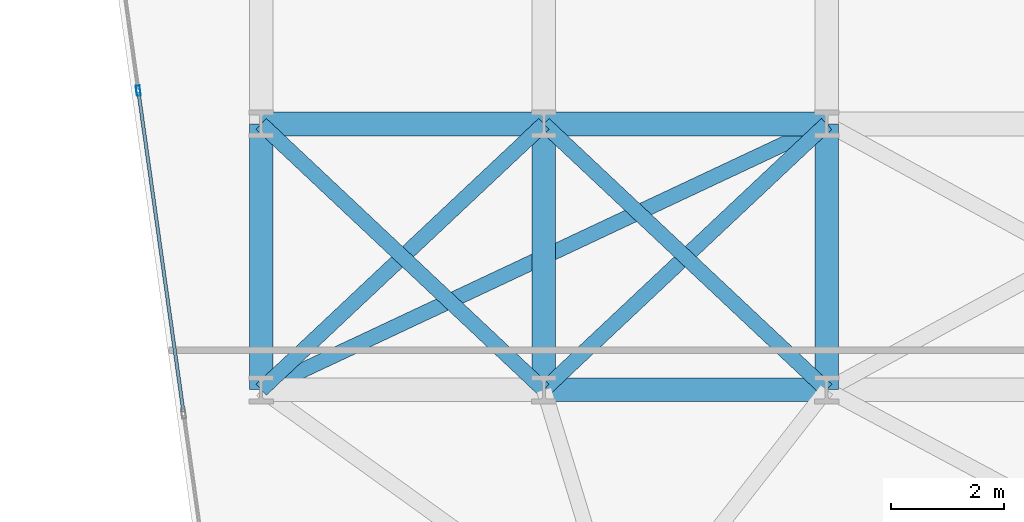
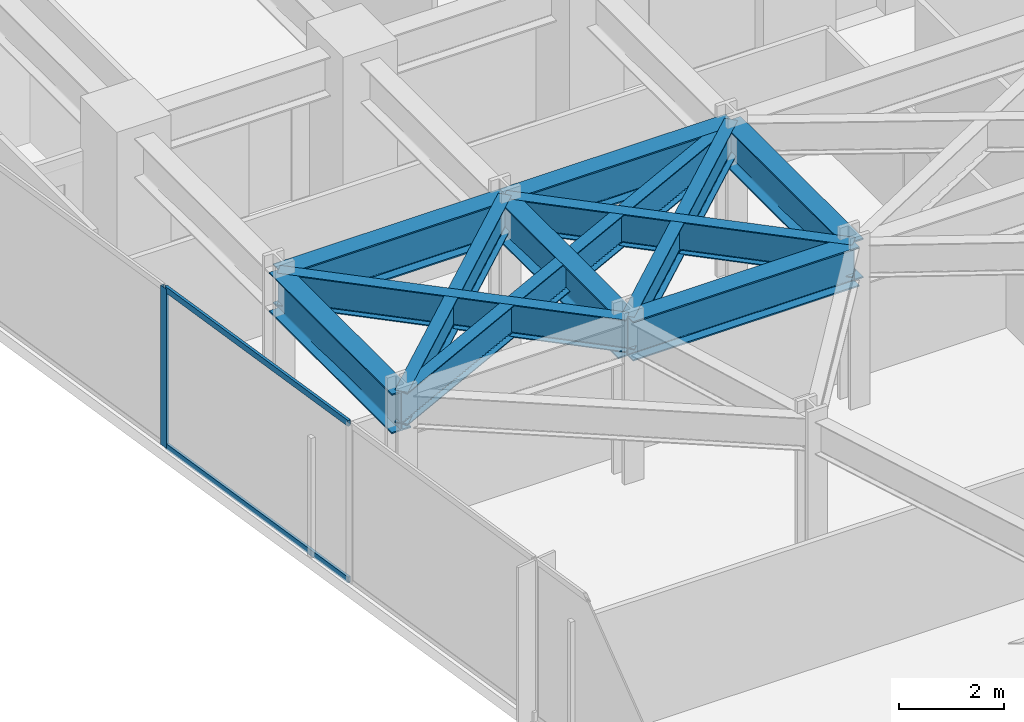
# One storey, part 8 of 25: 11 beams, 3 members, 1 element without a shape of its own.
"""IFC4 building model written with IfcOpenShell, lengths in metres."""

import ifcopenshell
import ifcopenshell.guid

model = None  # the IFC model being written
_history = None  # IfcOwnerHistory: only IFC2X3 demands one
_inside = {}  # id of a spatial element -> (the spatial element, [elements in it])
_under = {}  # id of a project, library or spatial element -> (it, [spatial elements below it])
_declared = {}  # id of a project -> (the project, [libraries it declares])
_typed = {}  # id of a type object -> (the type object, [elements of that type])
_made_of = {}  # id of a material, layer set ... -> (it, [elements and type objects made of it])


def new_model(schema):
    """Start an empty IFC model of exactly this schema.

    Asked for "IFC4X3", IfcOpenShell would pick the latest addendum, in which some entities
    have other attributes; the version numbers below select the first issue.
    IFC2X3 requires an IfcOwnerHistory on every rooted entity: one is made here for all.
    """
    global model, _history
    if schema == "IFC4X3":
        model = ifcopenshell.file(schema_version=(4, 3, 0, 0))
    else:
        model = ifcopenshell.file(schema=schema)
    _inside.clear()
    _under.clear()
    _declared.clear()
    _typed.clear()
    _made_of.clear()
    _history = None
    if model.schema == "IFC2X3":
        org = make("IfcOrganization", Name="unknown")
        user = make(
            "IfcPersonAndOrganization",
            ThePerson=make("IfcPerson", FamilyName="unknown"),
            TheOrganization=org,
        )
        app = make(
            "IfcApplication",
            ApplicationDeveloper=org,
            Version="unknown",
            ApplicationFullName="unknown",
            ApplicationIdentifier="unknown",
        )
        _history = make(
            "IfcOwnerHistory",
            OwningUser=user,
            OwningApplication=app,
            ChangeAction="ADDED",
            CreationDate=0,
        )
    return model


def make(cls, **values):
    """One entity of the class cls with the attributes given. An attribute that is None is left unset."""
    return model.create_entity(
        cls, **{name: value for name, value in values.items() if value is not None}
    )


def rooted(cls, **values):
    """An entity with a GlobalId (a new one), such as an element, a storey or a relation."""
    return make(cls, GlobalId=ifcopenshell.guid.new(), OwnerHistory=_history, **values)


def si_unit(unit_type, name, prefix=None):
    """IfcSIUnit, for example si_unit("LENGTHUNIT", "METRE", prefix="MILLI")."""
    return make("IfcSIUnit", UnitType=unit_type, Prefix=prefix, Name=name)


def assignment(units):
    """IfcUnitAssignment: the units of a project."""
    return None if units is None else make("IfcUnitAssignment", Units=units)


def point(xyz):
    """IfcCartesianPoint."""
    return None if xyz is None else make("IfcCartesianPoint", Coordinates=xyz)


def direction(xyz):
    """IfcDirection."""
    return None if xyz is None else make("IfcDirection", DirectionRatios=xyz)


def frame(location, z_axis=None, x_axis=None):
    """IfcAxis2Placement3D, a coordinate frame: its origin and axes. An axis left out is left unset."""
    return make(
        "IfcAxis2Placement3D",
        Location=point(location),
        Axis=direction(z_axis),
        RefDirection=direction(x_axis),
    )


def frame_2d(location, x_axis=None):
    """IfcAxis2Placement2D, a coordinate frame in the plane: its origin and x axis."""
    return make(
        "IfcAxis2Placement2D", Location=point(location), RefDirection=direction(x_axis)
    )


def origin():
    """The frame at (0, 0, 0) with its axes left unset."""
    return frame((0.0, 0.0, 0.0))


def origin_2d():
    """The frame at (0, 0) in the plane with its x axis left unset."""
    return frame_2d((0.0, 0.0))


def place(relative_to, where):
    """IfcLocalPlacement: puts the frame where relative to a parent placement (None: the world)."""
    return make(
        "IfcLocalPlacement", PlacementRelTo=relative_to, RelativePlacement=where
    )


def context(
    kind, dimensions, precision=None, world=None, true_north=None, identifier=None
):
    """IfcGeometricRepresentationContext, for example the 3D "Model" context."""
    return make(
        "IfcGeometricRepresentationContext",
        ContextIdentifier=identifier,
        ContextType=kind,
        CoordinateSpaceDimension=dimensions,
        Precision=precision,
        WorldCoordinateSystem=world,
        TrueNorth=true_north,
    )


def subcontext(parent, identifier, kind, view, scale=None):
    """IfcGeometricRepresentationSubContext, for example "Body" below "Model"."""
    return make(
        "IfcGeometricRepresentationSubContext",
        ContextIdentifier=identifier,
        ContextType=kind,
        ParentContext=parent,
        TargetScale=scale,
        TargetView=view,
    )


def project(units=None, contexts=None):
    """IfcProject with its units and contexts."""
    return rooted(
        "IfcProject",
        Name="project",
        RepresentationContexts=contexts,
        UnitsInContext=assignment(units),
    )


def spatial(cls, under=None, at=None, **own):
    """A site, building, storey or space (cls), placed at a placement, below another one or the project."""
    s = rooted(cls, ObjectPlacement=at, **own)
    if under is not None:
        _under.setdefault(under.id(), (under, []))[1].append(s)
    return s


def profile(cls, at=None, kind="AREA", **sizes):
    """A parametric profile (cls). Its sizes go by their IFC names, for example OverallWidth=200.0."""
    return make(cls, ProfileType=kind, Position=at, **sizes)


def hollow_rectangle(**sizes):
    """IfcRectangleHollowProfileDef."""
    return profile("IfcRectangleHollowProfileDef", **sizes)


def i_section(**sizes):
    """IfcIShapeProfileDef."""
    return profile("IfcIShapeProfileDef", **sizes)


def extrude(swept, where, along, depth):
    """IfcExtrudedAreaSolid: the profile swept, set in the frame where, extruded along a direction by depth."""
    return make(
        "IfcExtrudedAreaSolid",
        SweptArea=swept,
        Position=where,
        ExtrudedDirection=direction(along),
        Depth=depth,
    )


def shape(context_of_items, identifier, shape_type, items):
    """IfcShapeRepresentation: the items that make up one representation, for example the "Body"."""
    return make(
        "IfcShapeRepresentation",
        ContextOfItems=context_of_items,
        RepresentationIdentifier=identifier,
        RepresentationType=shape_type,
        Items=items,
    )


def material(Name=None, Category=None):
    """IfcMaterial."""
    return make("IfcMaterial", Name=Name, Category=Category)


def layer(
    of_material, thickness, ventilated=None, Name=None, Category=None, Priority=None
):
    """IfcMaterialLayer: one layer of a wall or slab, of a material (None: an air gap)."""
    return make(
        "IfcMaterialLayer",
        Material=of_material,
        LayerThickness=thickness,
        IsVentilated=ventilated,
        Name=Name,
        Category=Category,
        Priority=Priority,
    )


def layer_set(layers, Name=None):
    """IfcMaterialLayerSet."""
    return make("IfcMaterialLayerSet", MaterialLayers=layers, LayerSetName=Name)


def material_profile(
    of_material, cross_section, Name=None, Category=None, Priority=None
):
    """IfcMaterialProfile: a cross section and its material."""
    return make(
        "IfcMaterialProfile",
        Name=Name,
        Material=of_material,
        Profile=cross_section,
        Priority=Priority,
        Category=Category,
    )


def profile_set(profiles, Name=None, composite=None):
    """IfcMaterialProfileSet."""
    return make(
        "IfcMaterialProfileSet",
        Name=Name,
        MaterialProfiles=profiles,
        CompositeProfile=composite,
    )


def made_of(thing, what):
    """Note that an element or type object is made of a material, layer set ...; save() writes the relation."""
    if what is not None:
        _made_of.setdefault(what.id(), (what, []))[1].append(thing)
    return thing


def type_object(cls, material=None, **own):
    """A type object (cls), such as IfcWallType, which elements share."""
    return made_of(rooted(cls, **own), material)


def element(
    cls,
    number,
    at=None,
    inside=None,
    cuts=None,
    type_object=None,
    material=None,
    context=None,
    identifier="Body",
    shape_type=None,
    held_by="IfcProductDefinitionShape",
    body=None,
    shapes=None,
    **own,
):
    """One element of the class cls, such as IfcWall. Its Tag is "e" and its number.

    at: its placement. inside: the storey or other place that contains it. cuts: it is an
    opening in that element (IfcRelVoidsElement). A single representation is given by context,
    identifier, shape_type and body (its items); several are given by shapes. held_by: the class
    of the entity that holds the representations. save() writes the other relations.
    """
    e = rooted(cls, Tag="e%d" % number, ObjectPlacement=at, **own)
    if body is not None:
        shapes = [shape(context, identifier, shape_type, body)]
    if shapes is not None:
        e.Representation = make(held_by, Representations=shapes)
    if inside is not None:
        _inside.setdefault(inside.id(), (inside, []))[1].append(e)
    if cuts is not None:
        rooted(
            "IfcRelVoidsElement", RelatingBuildingElement=cuts, RelatedOpeningElement=e
        )
    if type_object is not None:
        _typed.setdefault(type_object.id(), (type_object, []))[1].append(e)
    return made_of(e, material)


def aggregate(whole, parts):
    """IfcRelAggregates: a whole, such as a stair, and the parts it consists of."""
    return rooted("IfcRelAggregates", RelatingObject=whole, RelatedObjects=parts)


def save(model, path):
    """Write the relations noted so far, then the file.

    IfcRelAggregates (storeys below a building ...), IfcRelContainedInSpatialStructure (elements
    in a storey), IfcRelDefinesByType, IfcRelAssociatesMaterial and IfcRelDeclares: one each for
    every whole, place, type object, material and project.
    """
    for whole, parts in _under.values():
        aggregate(whole, parts)
    for where, things in _inside.values():
        rooted(
            "IfcRelContainedInSpatialStructure",
            RelatedElements=things,
            RelatingStructure=where,
        )
    for kind, things in _typed.values():
        rooted("IfcRelDefinesByType", RelatedObjects=things, RelatingType=kind)
    for what, things in _made_of.values():
        rooted("IfcRelAssociatesMaterial", RelatedObjects=things, RelatingMaterial=what)
    for by, libraries in _declared.values():
        rooted("IfcRelDeclares", RelatingContext=by, RelatedDefinitions=libraries)
    model.write(path)


model = new_model("IFC4")

# Units and contexts
model_context = context("Model", 3, precision=1e-05, world=origin(), true_north=direction((0.0, 1.0)))
body_context = subcontext(model_context, "Body", "Model", "MODEL_VIEW")
ifc_project = project(units=[si_unit("LENGTHUNIT", "METRE"), si_unit("AREAUNIT", "SQUARE_METRE"), si_unit("VOLUMEUNIT", "CUBIC_METRE"), si_unit("PLANEANGLEUNIT", "RADIAN"), si_unit("MASSUNIT", "GRAM", prefix="KILO")], contexts=[model_context])

# Site, building, storey
site_placement = place(None, origin())
site = spatial("IfcSite", under=ifc_project, at=site_placement, CompositionType="ELEMENT")
building_placement = place(site_placement, origin())
building = spatial("IfcBuilding", under=site, at=building_placement, Name="Kravanh Interchange Tower", CompositionType="ELEMENT")
storey_placement = place(building_placement, frame((0.0, 0.0, 81.5)))
storey = spatial("IfcBuildingStorey", under=building, at=storey_placement, Name="L19", CompositionType="ELEMENT", Elevation=81.5)

# Curtain wall, members
ifc_material_1 = material(Name="Anodised Bronze Aluminium", Category="aluminium")
ifc_layer = layer(ifc_material_1, 0.179931640625)
ifc_layer_set = layer_set([ifc_layer], Name="Unitised Curtain Wall System CW-Z1 Lower Office")
curtain_wall_type = type_object("IfcCurtainWallType", Name="Unitised Curtain Wall System CW-Z1 Lower Office", PredefinedType="NOTDEFINED", material=ifc_layer_set)
curtain_wall_placement = place(storey_placement, origin())
curtain_wall = element("IfcCurtainWall", 1, at=curtain_wall_placement, inside=storey, type_object=curtain_wall_type, Name="L19 Unitised Curtain Wall CW-L19-01", PredefinedType="NOTDEFINED")
ifc_material_2 = material(Name="Anodised Bronze Aluminium", Category="aluminium")
ifc_material_profile_1 = material_profile(ifc_material_2, hollow_rectangle(XDim=0.070068359375, YDim=0.179931640625, WallThickness=0.00390625, at=origin_2d()), Name="ALU70X180X4")
ifc_profile_set_1 = profile_set([ifc_material_profile_1], Name="Anodised Bronze Aluminium")
member_type_1 = type_object("IfcMemberType", Name="Curtain Wall Mullion ALU70X180X4 Bronze", PredefinedType="MULLION", material=ifc_profile_set_1)
member_1_placement = place(storey_placement, frame((6.427490234375, 32.08935546875, 0.0), z_axis=(0.0, 0.0, 1.0), x_axis=(-0.990267585682, -0.139176538065, 0.0)))
member_1 = element("IfcMember", 2, at=member_1_placement, type_object=member_type_1, Name="CW-Z1 mullion 6", PredefinedType="MULLION", context=body_context, shape_type="SweptSolid", body=[
    extrude(hollow_rectangle(XDim=0.070068359375, YDim=0.179931640625, WallThickness=0.00390625, at=origin_2d()), origin(), (0.0, 0.0, 1.0), 3.719970703125),
])
ifc_material_3 = material(Name="Anodised Bronze Aluminium", Category="aluminium")
ifc_material_profile_2 = material_profile(ifc_material_3, hollow_rectangle(XDim=0.06005859375, YDim=0.139892578125, WallThickness=0.00390625, at=origin_2d()), Name="ALU60X140X4")
ifc_profile_set_2 = profile_set([ifc_material_profile_2], Name="Anodised Bronze Aluminium")
member_type_2 = type_object("IfcMemberType", Name="Curtain Wall Transom ALU60X140X4 Bronze", PredefinedType="USERDEFINED", material=ifc_profile_set_2)
member_2_placement = place(storey_placement, frame((7.22509765625, 26.41357421875, 0.030029296875), z_axis=(-0.139158957544, 0.990270056366, 0.0), x_axis=(-0.990270056366, -0.139158957544, 0.0)))
member_2 = element("IfcMember", 3, at=member_2_placement, type_object=member_type_2, Name="CW-Z1 transom 5.1", ObjectType="TRANSOM", PredefinedType="USERDEFINED", context=body_context, shape_type="SweptSolid", body=[
    extrude(hollow_rectangle(XDim=0.06005859375, YDim=0.139892578125, WallThickness=0.00390625, at=origin_2d()), origin(), (0.0, 0.0, 1.0), 5.696533203125),
])
member_3_placement = place(storey_placement, frame((7.22509765625, 26.41357421875, 3.68994140625), z_axis=(-0.139158957544, 0.990270056366, 0.0), x_axis=(-0.990270056366, -0.139158957544, 0.0)))
member_3 = element("IfcMember", 4, at=member_3_placement, type_object=member_type_2, Name="CW-Z1 transom 5.2", ObjectType="TRANSOM", PredefinedType="USERDEFINED", context=body_context, shape_type="SweptSolid", body=[
    extrude(hollow_rectangle(XDim=0.06005859375, YDim=0.139892578125, WallThickness=0.00390625, at=origin_2d()), origin(), (0.0, 0.0, 1.0), 5.696533203125),
])
aggregate(curtain_wall, [member_1, member_2, member_3])

# Beams
ifc_material_4 = material(Name="Structural Steel S355", Category="steel")
ifc_material_profile_3 = material_profile(ifc_material_4, i_section(OverallWidth=0.41796875, OverallDepth=0.927001953125, WebThickness=0.019287109375, FlangeThickness=0.031982421875, FilletRadius=0.028076171875, at=origin_2d()), Name="W36X231")
ifc_profile_set_3 = profile_set([ifc_material_profile_3], Name="Structural Steel S355")
beam_type_1 = type_object("IfcBeamType", Name="Floor Beam W36X231 Structural Steel S355", PredefinedType="BEAM", material=ifc_profile_set_3)
for number, where, z_axis, x_axis, name in (
    (5, (8.60009765625, 26.800048828125, 3.256591796875), (0.0, 1.0, 0.0), (-1.0, 0.0, 0.0), "L19 Primary Floor Girder 66"),
    (6, (13.60009765625, 26.800048828125, 3.256591796875), (0.0, 1.0, 0.0), (-1.0, 0.0, 0.0), "L19 Primary Floor Girder 70"),
):
    element("IfcBeam", number, at=place(storey_placement, frame(where, z_axis=z_axis, x_axis=x_axis)), inside=storey, type_object=beam_type_1, Name=name, PredefinedType="BEAM", context=body_context, shape_type="SweptSolid", body=[
        extrude(i_section(OverallWidth=0.41796875, OverallDepth=0.927001953125, WebThickness=0.019287109375, FlangeThickness=0.031982421875, FilletRadius=0.028076171875, at=origin_2d()), origin(), (0.0, 0.0, 1.0), 4.699951171875),
    ])
beam_1_placement = place(storey_placement, frame((13.60009765625, 26.800048828125, 3.256591796875), z_axis=(1.0, 0.0, 0.0), x_axis=(0.0, 1.0, 0.0)))
element("IfcBeam", 7, at=beam_1_placement, inside=storey, type_object=beam_type_1, Name="L19 Primary Floor Girder 71", PredefinedType="BEAM", context=body_context, shape_type="SweptSolid", body=[
    extrude(i_section(OverallWidth=0.41796875, OverallDepth=0.927001953125, WebThickness=0.019287109375, FlangeThickness=0.031982421875, FilletRadius=0.028076171875, at=origin_2d()), origin(), (0.0, 0.0, 1.0), 5.0),
])
beam_2_placement = place(storey_placement, frame((18.60009765625, 26.800048828125, 3.256591796875), z_axis=(0.0, 1.0, 0.0), x_axis=(-1.0, 0.0, 0.0)))
element("IfcBeam", 8, at=beam_2_placement, inside=storey, type_object=beam_type_1, Name="L19 Primary Floor Girder 74", PredefinedType="BEAM", context=body_context, shape_type="SweptSolid", body=[
    extrude(i_section(OverallWidth=0.41796875, OverallDepth=0.927001953125, WebThickness=0.019287109375, FlangeThickness=0.031982421875, FilletRadius=0.028076171875, at=origin_2d()), origin(), (0.0, 0.0, 1.0), 4.699951171875),
])
for number, where, z_axis, x_axis, name in (
    (9, (8.60009765625, 31.5, 3.256591796875), (1.0, 0.0, 0.0), (0.0, 1.0, 0.0), "L19 Primary Floor Girder 100"),
    (10, (13.60009765625, 31.5, 3.256591796875), (1.0, 0.0, 0.0), (0.0, 1.0, 0.0), "L19 Primary Floor Girder 101"),
):
    element("IfcBeam", number, at=place(storey_placement, frame(where, z_axis=z_axis, x_axis=x_axis)), inside=storey, type_object=beam_type_1, Name=name, PredefinedType="BEAM", context=body_context, shape_type="SweptSolid", body=[
        extrude(i_section(OverallWidth=0.41796875, OverallDepth=0.927001953125, WebThickness=0.019287109375, FlangeThickness=0.031982421875, FilletRadius=0.028076171875, at=origin_2d()), origin(), (0.0, 0.0, 1.0), 5.0),
    ])
ifc_material_5 = material(Name="Structural Steel S355", Category="steel")
ifc_material_profile_4 = material_profile(ifc_material_5, i_section(OverallWidth=0.26708984375, OverallDepth=0.761962890625, WebThickness=0.014404296875, FlangeThickness=0.021484375, FilletRadius=0.02490234375, at=origin_2d()), Name="W30X116")
ifc_profile_set_4 = profile_set([ifc_material_profile_4], Name="Structural Steel S355")
beam_type_2 = type_object("IfcBeamType", Name="Floor Spandrel W30X116 Structural Steel S355", PredefinedType="SPANDREL", material=ifc_profile_set_4)
beam_3_placement = place(storey_placement, frame((8.60009765625, 26.800048828125, 3.339111328125), z_axis=(0.728631219862, 0.684906231131, 0.0), x_axis=(-0.684906231131, 0.728631219862, 0.0)))
element("IfcBeam", 11, at=beam_3_placement, inside=storey, type_object=beam_type_2, Name="L19 Perimeter Spandrel 68", PredefinedType="SPANDREL", context=body_context, shape_type="SweptSolid", body=[
    extrude(i_section(OverallWidth=0.26708984375, OverallDepth=0.761962890625, WebThickness=0.014404296875, FlangeThickness=0.021484375, FilletRadius=0.02490234375, at=origin_2d()), origin(), (0.0, 0.0, 1.0), 6.862060546875),
])
beam_4_placement = place(storey_placement, frame((8.60009765625, 26.800048828125, 3.339111328125), z_axis=(0.905025402916, 0.425357520301, 0.0), x_axis=(-0.425357520301, 0.905025402916, 0.0)))
element("IfcBeam", 12, at=beam_4_placement, inside=storey, type_object=beam_type_2, Name="L19 Perimeter Spandrel 69", PredefinedType="SPANDREL", context=body_context, shape_type="SweptSolid", body=[
    extrude(i_section(OverallWidth=0.26708984375, OverallDepth=0.761962890625, WebThickness=0.014404296875, FlangeThickness=0.021484375, FilletRadius=0.02490234375, at=origin_2d()), origin(), (0.0, 0.0, 1.0), 11.04931640625),
])
for number, where, z_axis, x_axis, name in (
    (13, (13.60009765625, 26.800048828125, 3.339111328125), (-0.728631219862, 0.684906231131, 0.0), (-0.684906231131, -0.728631219862, 0.0), "L19 Perimeter Spandrel 72"),
    (14, (13.60009765625, 26.800048828125, 3.339111328125), (0.728631219862, 0.684906231131, 0.0), (-0.684906231131, 0.728631219862, 0.0), "L19 Perimeter Spandrel 73"),
    (15, (18.60009765625, 26.800048828125, 3.339111328125), (-0.728631219862, 0.684906231131, 0.0), (-0.684906231131, -0.728631219862, 0.0), "L19 Perimeter Spandrel 75"),
):
    element("IfcBeam", number, at=place(storey_placement, frame(where, z_axis=z_axis, x_axis=x_axis)), inside=storey, type_object=beam_type_2, Name=name, PredefinedType="SPANDREL", context=body_context, shape_type="SweptSolid", body=[
        extrude(i_section(OverallWidth=0.26708984375, OverallDepth=0.761962890625, WebThickness=0.014404296875, FlangeThickness=0.021484375, FilletRadius=0.02490234375, at=origin_2d()), origin(), (0.0, 0.0, 1.0), 6.862060546875),
    ])

save(model, "model.ifc")
